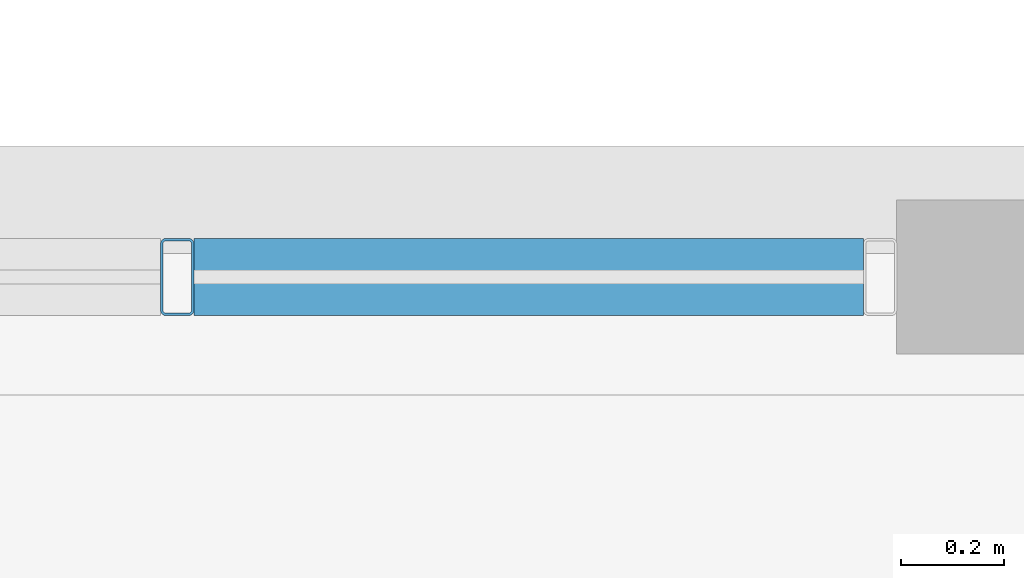
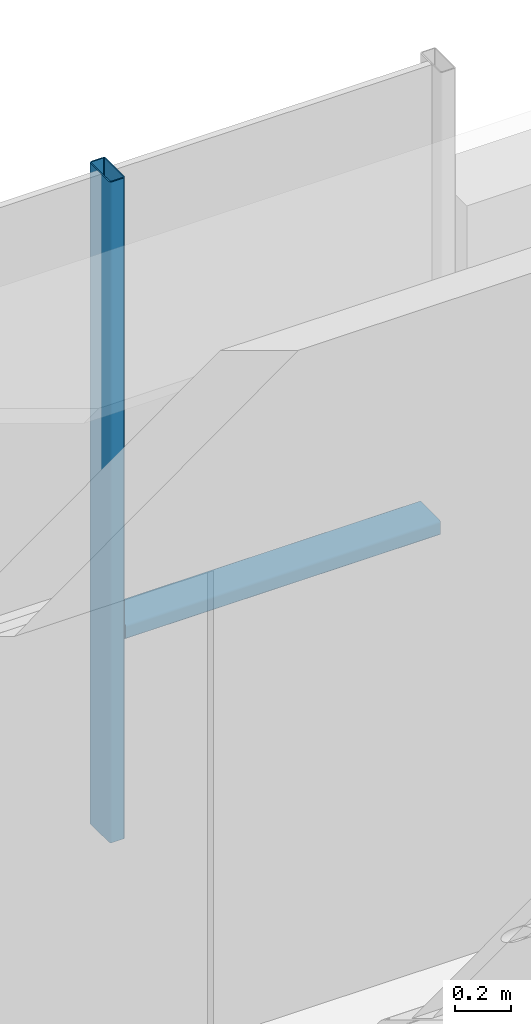
# One storey, part 13 of 38: 2 members, 1 element without a shape of its own.
"""IFC4 building model written with IfcOpenShell, lengths in metres."""

from ifc_helpers import new_model, si_unit, direction, frame, origin, origin_2d, place, context, subcontext, project, spatial, hollow_rectangle, extrude, material, layer, layer_set, material_profile, profile_set, type_object, element, aggregate, save


model = new_model("IFC4")

# Units and contexts
model_context = context("Model", 3, precision=1e-05, world=origin(), true_north=direction((0.0, 1.0)))
body_context = subcontext(model_context, "Body", "Model", "MODEL_VIEW")
ifc_project = project(units=[si_unit("LENGTHUNIT", "METRE"), si_unit("AREAUNIT", "SQUARE_METRE"), si_unit("VOLUMEUNIT", "CUBIC_METRE"), si_unit("PLANEANGLEUNIT", "RADIAN"), si_unit("MASSUNIT", "GRAM", prefix="KILO")], contexts=[model_context])

# Site, building, storey
site_placement = place(None, origin())
site = spatial("IfcSite", under=ifc_project, at=site_placement, CompositionType="ELEMENT")
building_placement = place(site_placement, origin())
building = spatial("IfcBuilding", under=site, at=building_placement, Name="Brevholm Reach", CompositionType="ELEMENT")
storey_placement = place(building_placement, frame((0.0, 0.0, 172.800048828125)))
storey = spatial("IfcBuildingStorey", under=building, at=storey_placement, Name="L52", CompositionType="ELEMENT", Elevation=172.800048828125)

# Curtain wall, members
ifc_material_1 = material(Name="Dark Anodised Aluminium 6063-T6 and Solar-Control Glass", Category="aluminium")
ifc_layer = layer(ifc_material_1, 0.14990234375)
ifc_layer_set = layer_set([ifc_layer], Name="Dark Anodised Aluminium 6063-T6 and Solar-Control Glass")
curtain_wall_type = type_object("IfcCurtainWallType", Name="CW-01", PredefinedType="NOTDEFINED", material=ifc_layer_set)
curtain_wall_placement = place(storey_placement, origin())
curtain_wall = element("IfcCurtainWall", 1, at=curtain_wall_placement, inside=storey, type_object=curtain_wall_type, Name="L52 Curtain Wall CW-01", PredefinedType="NOTDEFINED")
ifc_material_2 = material(Name="Dark Anodised Aluminium 6063-T6", Category="aluminium")
ifc_material_profile_1 = material_profile(ifc_material_2, hollow_rectangle(XDim=0.06494140625, YDim=0.14990234375, WallThickness=0.0048828125, InnerFilletRadius=0.0048828125, OuterFilletRadius=0.010009765625, at=origin_2d()), Name="RHS 150x65x5")
ifc_profile_set_1 = profile_set([ifc_material_profile_1], Name="Dark Anodised Aluminium 6063-T6")
member_type_1 = type_object("IfcMemberType", Name="CWM-150", PredefinedType="MULLION", material=ifc_profile_set_1)
member_1_placement = place(storey_placement, frame((30.800048828125, 26.35009765625, 0.0), z_axis=(0.0, 0.0, 1.0), x_axis=(1.0, 0.0, 0.0)))
member_1 = element("IfcMember", 2, at=member_1_placement, type_object=member_type_1, Name="CM-150 Mullion 2", PredefinedType="MULLION", context=body_context, shape_type="SweptSolid", body=[
    extrude(hollow_rectangle(XDim=0.06494140625, YDim=0.14990234375, WallThickness=0.0048828125, InnerFilletRadius=0.0048828125, OuterFilletRadius=0.010009765625, at=origin_2d()), origin(), (0.0, 0.0, 1.0), 2.889892578125),
])
ifc_material_3 = material(Name="Dark Anodised Aluminium 6063-T6", Category="aluminium")
ifc_material_profile_2 = material_profile(ifc_material_3, hollow_rectangle(XDim=0.06494140625, YDim=0.14990234375, WallThickness=0.0048828125, InnerFilletRadius=0.0048828125, OuterFilletRadius=0.010009765625, at=origin_2d()), Name="RHS 150x65x5")
ifc_profile_set_2 = profile_set([ifc_material_profile_2], Name="Dark Anodised Aluminium 6063-T6")
member_type_2 = type_object("IfcMemberType", Name="CWT-150", PredefinedType="NOTDEFINED", material=ifc_profile_set_2)
member_2_placement = place(storey_placement, frame((30.83251953125, 26.35009765625, 0.89990234375), z_axis=(1.0, 0.0, 0.0), x_axis=(0.0, 0.0, 1.0)))
member_2 = element("IfcMember", 3, at=member_2_placement, type_object=member_type_2, Name="CT-150 Transom 2.1", ObjectType="TRANSOM", PredefinedType="USERDEFINED", context=body_context, shape_type="SweptSolid", body=[
    extrude(hollow_rectangle(XDim=0.06494140625, YDim=0.14990234375, WallThickness=0.0048828125, InnerFilletRadius=0.0048828125, OuterFilletRadius=0.010009765625, at=origin_2d()), origin(), (0.0, 0.0, 1.0), 1.302490234375),
])
aggregate(curtain_wall, [member_1, member_2])

save(model, "model.ifc")
